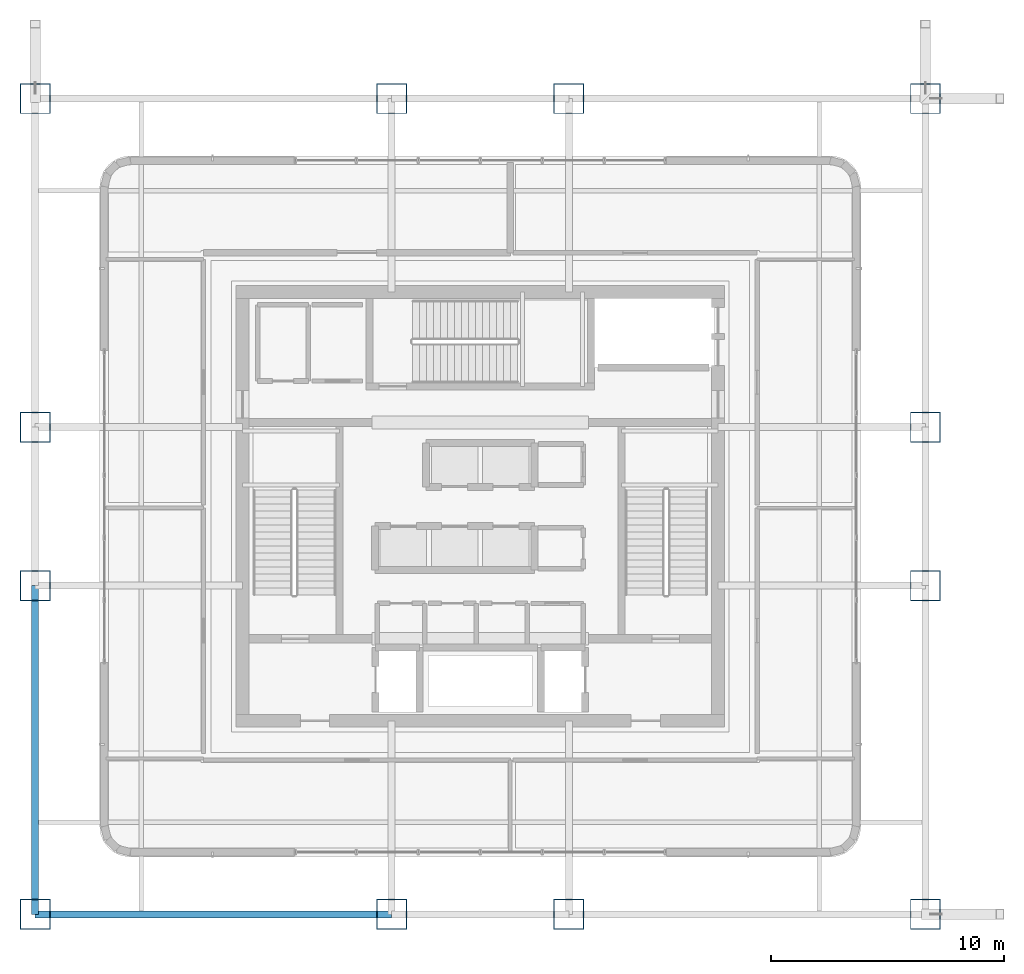
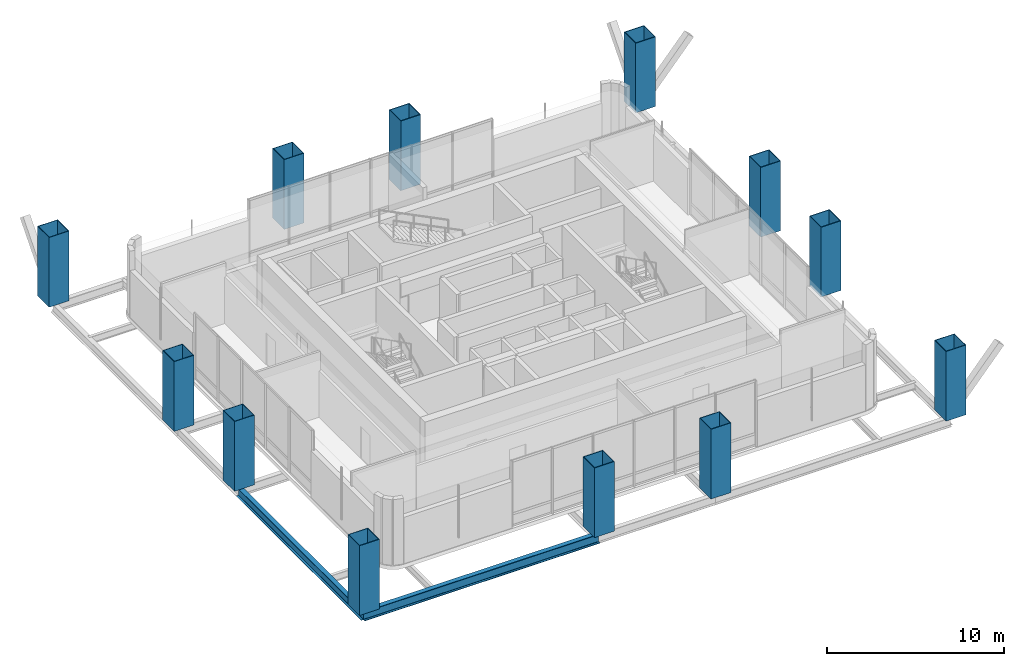
# One storey, part 1 of 33: 12 columns, 2 beams.
"""IFC4 building model written with IfcOpenShell, lengths in metres."""

from ifc_helpers import new_model, si_unit, direction, frame, origin, origin_2d, place, context, subcontext, project, spatial, hollow_rectangle, i_section, extrude, material, material_profile, profile_set, type_object, element, save


model = new_model("IFC4")

# Units and contexts
model_context = context("Model", 3, precision=1e-05, world=origin(), true_north=direction((0.0, 1.0)))
body_context = subcontext(model_context, "Body", "Model", "MODEL_VIEW")
ifc_project = project(units=[si_unit("LENGTHUNIT", "METRE"), si_unit("AREAUNIT", "SQUARE_METRE"), si_unit("VOLUMEUNIT", "CUBIC_METRE"), si_unit("PLANEANGLEUNIT", "RADIAN"), si_unit("MASSUNIT", "GRAM", prefix="KILO")], contexts=[model_context])

# Site, building, storey
site_placement = place(None, origin())
site = spatial("IfcSite", under=ifc_project, at=site_placement, CompositionType="ELEMENT")
building_placement = place(site_placement, origin())
building = spatial("IfcBuilding", under=site, at=building_placement, Name="Punatoya Terracotta Tower", CompositionType="ELEMENT")
storey_placement = place(building_placement, frame((0.0, 0.0, 246.60009765625)))
storey = spatial("IfcBuildingStorey", under=building, at=storey_placement, Name="L58", CompositionType="ELEMENT", Elevation=246.60009765625)

# Columns
ifc_material_1 = material(Name="Steel S460", Category="steel")
ifc_material_profile_1 = material_profile(ifc_material_1, hollow_rectangle(XDim=1.300048828125, YDim=1.300048828125, WallThickness=0.0380859375, at=origin_2d()))
ifc_profile_set_1 = profile_set([ifc_material_profile_1], Name="Steel S460")
column_type = type_object("IfcColumnType", Name="COL-MC-Z3", PredefinedType="COLUMN", material=ifc_profile_set_1)
for number, where, z_axis, x_axis, name in (
    (1, (-19.10009765625, -17.5, 0.0), (0.0, 0.0, 1.0), (1.0, 0.0, 0.0), "L58 Composite Mega-Column MC-01 (3-B)"),
    (2, (-3.800048828125, -17.5, 0.0), (0.0, 0.0, 1.0), (1.0, 0.0, 0.0), "L58 Composite Mega-Column MC-02 (5-B)"),
    (3, (3.800048828125, -17.5, 0.0), (0.0, 0.0, 1.0), (1.0, 0.0, 0.0), "L58 Composite Mega-Column MC-03 (7-B)"),
    (4, (19.10009765625, -17.5, 0.0), (0.0, 0.0, 1.0), (1.0, 0.0, 0.0), "L58 Composite Mega-Column MC-04 (9-B)"),
    (5, (19.10009765625, -3.39990234375, 0.0), (0.0, 0.0, 1.0), (1.0, 0.0, 0.0), "L58 Composite Mega-Column MC-05 (9-D)"),
    (6, (19.10009765625, 3.39990234375, 0.0), (0.0, 0.0, 1.0), (1.0, 0.0, 0.0), "L58 Composite Mega-Column MC-06 (9-E)"),
    (7, (19.10009765625, 17.5, 0.0), (0.0, 0.0, 1.0), (1.0, 0.0, 0.0), "L58 Composite Mega-Column MC-07 (9-G)"),
    (8, (3.800048828125, 17.5, 0.0), (0.0, 0.0, 1.0), (1.0, 0.0, 0.0), "L58 Composite Mega-Column MC-08 (7-G)"),
    (9, (-3.800048828125, 17.5, 0.0), (0.0, 0.0, 1.0), (1.0, 0.0, 0.0), "L58 Composite Mega-Column MC-09 (5-G)"),
    (10, (-19.10009765625, 17.5, 0.0), (0.0, 0.0, 1.0), (1.0, 0.0, 0.0), "L58 Composite Mega-Column MC-10 (3-G)"),
    (11, (-19.10009765625, 3.39990234375, 0.0), (0.0, 0.0, 1.0), (1.0, 0.0, 0.0), "L58 Composite Mega-Column MC-11 (3-E)"),
    (12, (-19.10009765625, -3.39990234375, 0.0), (0.0, 0.0, 1.0), (1.0, 0.0, 0.0), "L58 Composite Mega-Column MC-12 (3-D)"),
):
    element("IfcColumn", number, at=place(storey_placement, frame(where, z_axis=z_axis, x_axis=x_axis)), inside=storey, type_object=column_type, Name=name, PredefinedType="COLUMN", context=body_context, shape_type="SweptSolid", body=[
        extrude(hollow_rectangle(XDim=1.300048828125, YDim=1.300048828125, WallThickness=0.0380859375, at=origin_2d()), origin(), (0.0, 0.0, 1.0), 4.7998046875),
    ])

# Beams
ifc_material_2 = material(Name="Steel S355", Category="steel")
ifc_material_profile_2 = material_profile(ifc_material_2, i_section(OverallWidth=0.300048828125, OverallDepth=0.64990234375, WebThickness=0.01611328125, FlangeThickness=0.031005859375, FilletRadius=0.01806640625, at=origin_2d()))
ifc_profile_set_2 = profile_set([ifc_material_profile_2], Name="Steel S355")
beam_type = type_object("IfcBeamType", Name="BM-PRI-650", PredefinedType="BEAM", material=ifc_profile_set_2)
beam_1_placement = place(storey_placement, frame((-19.10009765625, -17.5, -0.585205078125), z_axis=(1.0, 0.0, 0.0), x_axis=(0.0, 1.0, 0.0)))
element("IfcBeam", 13, at=beam_1_placement, inside=storey, type_object=beam_type, Name="BM-L58-RG-S1", PredefinedType="BEAM", context=body_context, shape_type="SweptSolid", body=[
    extrude(i_section(OverallWidth=0.300048828125, OverallDepth=0.64990234375, WebThickness=0.01611328125, FlangeThickness=0.031005859375, FilletRadius=0.01806640625, at=origin_2d()), origin(), (0.0, 0.0, 1.0), 15.300048828125),
])
beam_2_placement = place(storey_placement, frame((-19.10009765625, -17.5, -0.585205078125), z_axis=(0.0, 1.0, 0.0), x_axis=(-1.0, 0.0, 0.0)))
element("IfcBeam", 14, at=beam_2_placement, inside=storey, type_object=beam_type, Name="BM-L58-RG-W1", PredefinedType="BEAM", context=body_context, shape_type="SweptSolid", body=[
    extrude(i_section(OverallWidth=0.300048828125, OverallDepth=0.64990234375, WebThickness=0.01611328125, FlangeThickness=0.031005859375, FilletRadius=0.01806640625, at=origin_2d()), origin(), (0.0, 0.0, 1.0), 14.10009765625),
])

save(model, "model.ifc")
